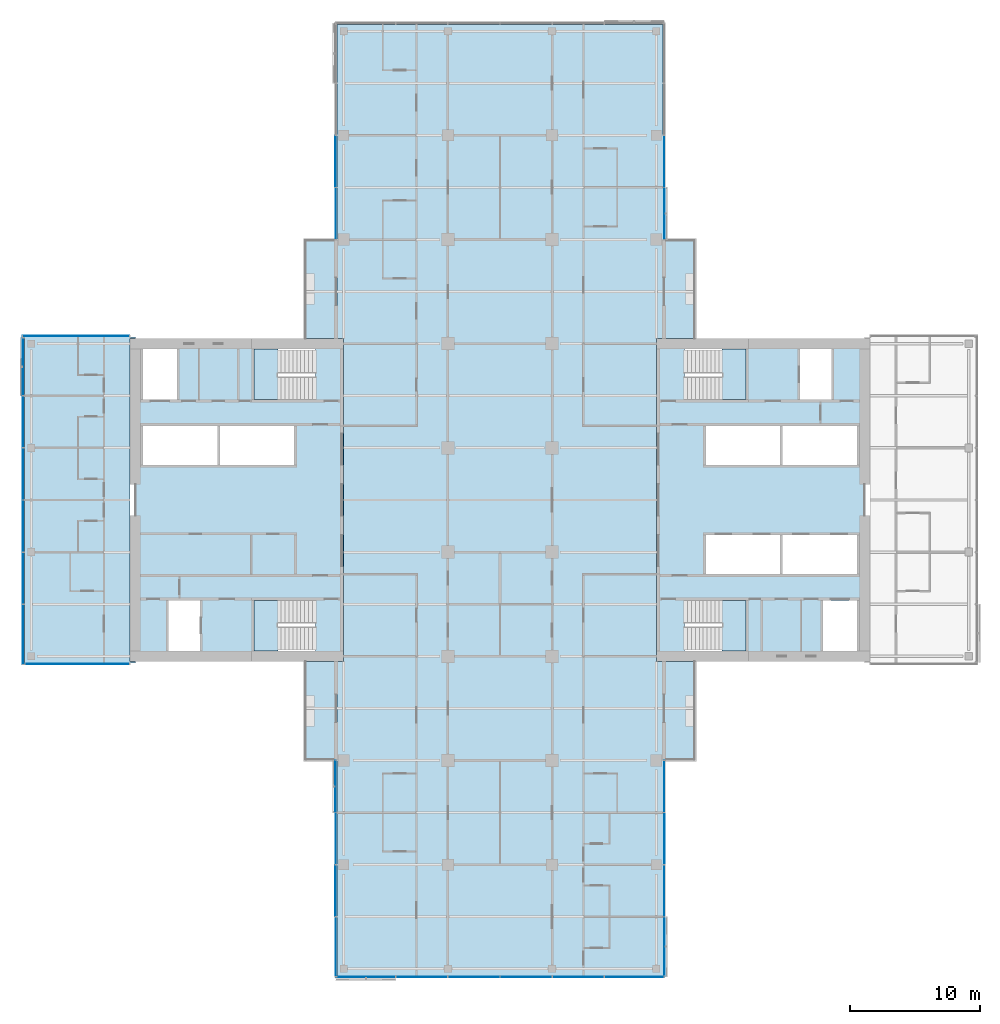
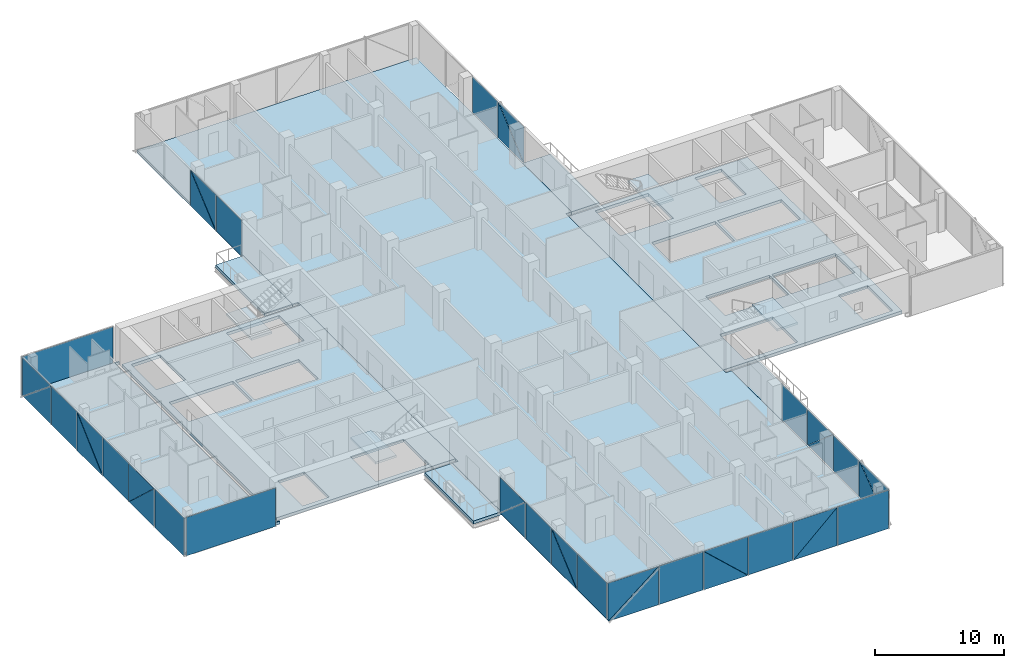
# One storey, part 12 of 25: 38 plates, 12 slabs, 12 elements without a shape of their own.
"""IFC4 building model written with IfcOpenShell, lengths in metres."""

from ifc_helpers import new_model, si_unit, direction, frame, origin, place, context, subcontext, project, spatial, polyline, outline, extrude, material, layer, layer_set, type_object, element, aggregate, save


model = new_model("IFC4")

# Units and contexts
model_context = context("Model", 3, precision=1e-05, world=origin(), true_north=direction((0.0, 1.0)))
body_context = subcontext(model_context, "Body", "Model", "MODEL_VIEW")
ifc_project = project(units=[si_unit("LENGTHUNIT", "METRE"), si_unit("AREAUNIT", "SQUARE_METRE"), si_unit("VOLUMEUNIT", "CUBIC_METRE"), si_unit("PLANEANGLEUNIT", "RADIAN"), si_unit("MASSUNIT", "GRAM", prefix="KILO")], contexts=[model_context])

# Site, building, storey
site_placement = place(None, origin())
site = spatial("IfcSite", under=ifc_project, at=site_placement, CompositionType="ELEMENT")
building_placement = place(site_placement, origin())
building = spatial("IfcBuilding", under=site, at=building_placement, Name="Crosswind Convention Tower", CompositionType="ELEMENT")
storey_placement = place(building_placement, frame((0.0, 0.0, 97.89990234375)))
storey = spatial("IfcBuildingStorey", under=building, at=storey_placement, Name="L19", CompositionType="ELEMENT", Elevation=97.89990234375)

# Slabs
ifc_material_1 = material(Name="Concrete C40/50", Category="concrete")
ifc_layer_1 = layer(ifc_material_1, 0.280029296875)
ifc_layer_set_1 = layer_set([ifc_layer_1], Name="Concrete C40/50")
slab_type_1 = type_object("IfcSlabType", Name="BALCONY SLAB 280", PredefinedType="USERDEFINED", material=ifc_layer_set_1)
slab_1_placement = place(storey_placement, frame((0.0, 0.0, -0.27978515625)))
element("IfcSlab", 1, at=slab_1_placement, inside=storey, type_object=slab_type_1, Name="BALCONY L19 N-E.1-1", ObjectType="BALCONY", PredefinedType="USERDEFINED", context=body_context, shape_type="SweptSolid", body=[
    extrude(outline(polyline([(137.5, 112.39990234375), (137.5, 120.0), (140.0, 120.0), (140.0, 112.39990234375), (137.5, 112.39990234375)])), origin(), (0.0, 0.0, 1.0), 0.27978515625),
])
slab_2_placement = place(storey_placement, frame((0.0, 0.0, -0.27978515625)))
element("IfcSlab", 2, at=slab_2_placement, inside=storey, type_object=slab_type_1, Name="BALCONY L19 N-W.1-3", ObjectType="BALCONY", PredefinedType="USERDEFINED", context=body_context, shape_type="SweptSolid", body=[
    extrude(outline(polyline([(112.5, 120.0), (112.5, 112.39990234375), (110.0, 112.39990234375), (110.0, 120.0), (112.5, 120.0)])), origin(), (0.0, 0.0, 1.0), 0.27978515625),
])
slab_3_placement = place(storey_placement, frame((0.0, 0.0, -0.27978515625)))
element("IfcSlab", 3, at=slab_3_placement, inside=storey, type_object=slab_type_1, Name="BALCONY L19 S-W.1-1", ObjectType="BALCONY", PredefinedType="USERDEFINED", context=body_context, shape_type="SweptSolid", body=[
    extrude(outline(polyline([(112.5, 87.60009765625), (112.5, 80.0), (110.0, 80.0), (110.0, 87.60009765625), (112.5, 87.60009765625)])), origin(), (0.0, 0.0, 1.0), 0.27978515625),
])
slab_4_placement = place(storey_placement, frame((0.0, 0.0, -0.27978515625)))
element("IfcSlab", 4, at=slab_4_placement, inside=storey, type_object=slab_type_1, Name="BALCONY L19 S-E.1-3", ObjectType="BALCONY", PredefinedType="USERDEFINED", context=body_context, shape_type="SweptSolid", body=[
    extrude(outline(polyline([(137.5, 80.0), (137.5, 87.60009765625), (140.0, 87.60009765625), (140.0, 80.0), (137.5, 80.0)])), origin(), (0.0, 0.0, 1.0), 0.27978515625),
])
ifc_layer_2 = layer(ifc_material_1, 0.280029296875)
ifc_layer_set_2 = layer_set([ifc_layer_2], Name="Concrete C40/50")
slab_type_2 = type_object("IfcSlabType", Name="Composite floor slab 280", PredefinedType="FLOOR", material=ifc_layer_set_2)
slab_5_placement = place(storey_placement, frame((0.0, 0.0, -0.27978515625)))
element("IfcSlab", 5, at=slab_5_placement, inside=storey, type_object=slab_type_2, Name="Floor slab L19 part 1", PredefinedType="FLOOR", context=body_context, shape_type="SweptSolid", body=[
    extrude(outline(polyline([(97.0, 87.5), (89.0, 87.5), (88.5, 87.5), (88.5, 88.0), (88.5, 112.0), (88.5, 112.5), (89.0, 112.5), (97.0, 112.5), (97.0, 112.39990234375), (96.60009765625, 112.39990234375), (96.60009765625, 87.60009765625), (97.0, 87.60009765625), (97.0, 87.5)])), origin(), (0.0, 0.0, 1.0), 0.27978515625),
])
slab_6_placement = place(storey_placement, frame((0.0, 0.0, -0.27978515625)))
element("IfcSlab", 6, at=slab_6_placement, inside=storey, type_object=slab_type_2, Name="Floor slab L19 part 2", PredefinedType="FLOOR", context=body_context, shape_type="SweptSolid", body=[
    extrude(outline(polyline([(112.5, 87.60009765625), (113.0, 87.60009765625), (113.0, 112.39990234375), (112.5, 112.39990234375), (112.5, 136.0), (112.5, 136.5), (113.0, 136.5), (137.0, 136.5), (137.5, 136.5), (137.5, 136.0), (137.5, 112.39990234375), (137.0, 112.39990234375), (137.0, 87.60009765625), (137.5, 87.60009765625), (137.5, 64.0), (137.5, 63.5), (137.0, 63.5), (113.0, 63.5), (112.5, 63.5), (112.5, 64.0), (112.5, 87.60009765625)])), origin(), (0.0, 0.0, 1.0), 0.27978515625),
])
ifc_layer_3 = layer(ifc_material_1, 0.280029296875)
ifc_layer_set_3 = layer_set([ifc_layer_3], Name="Concrete C40/50")
slab_type_3 = type_object("IfcSlabType", Name="Concrete core floor slab 280", PredefinedType="FLOOR", material=ifc_layer_set_3)
slab_7_placement = place(storey_placement, frame((0.0, 0.0, -0.27978515625)))
element("IfcSlab", 7, at=slab_7_placement, inside=storey, type_object=slab_type_3, Name="Core floor slab E L19", PredefinedType="FLOOR", context=body_context, shape_type="SweptSolid", body=[
    extrude(outline(polyline([(137.0, 88.0), (153.0, 88.0), (153.0, 112.0), (137.0, 112.0), (137.0, 88.0)]), holes=[polyline([(146.5, 102.699951171875), (146.5, 105.699951171875), (140.800048828125, 105.699951171875), (140.800048828125, 102.699951171875), (146.5, 102.699951171875)]), polyline([(152.39990234375, 102.699951171875), (152.39990234375, 105.699951171875), (146.699951171875, 105.699951171875), (146.699951171875, 102.699951171875), (152.39990234375, 102.699951171875)]), polyline([(146.5, 94.300048828125), (146.5, 97.300048828125), (140.800048828125, 97.300048828125), (140.800048828125, 94.300048828125), (146.5, 94.300048828125)]), polyline([(152.39990234375, 94.300048828125), (152.39990234375, 97.300048828125), (146.699951171875, 97.300048828125), (146.699951171875, 94.300048828125), (152.39990234375, 94.300048828125)]), polyline([(150.449951171875, 107.699951171875), (150.449951171875, 111.60009765625), (148.050048828125, 111.60009765625), (148.050048828125, 107.699951171875), (150.449951171875, 107.699951171875)]), polyline([(152.39990234375, 88.39990234375), (152.39990234375, 92.300048828125), (149.800048828125, 92.300048828125), (149.800048828125, 88.39990234375), (152.39990234375, 88.39990234375)]), polyline([(143.89990234375, 107.699951171875), (143.89990234375, 111.60009765625), (139.14990234375, 111.60009765625), (139.14990234375, 107.699951171875), (143.89990234375, 107.699951171875)]), polyline([(143.89990234375, 88.39990234375), (143.89990234375, 92.300048828125), (139.14990234375, 92.300048828125), (139.14990234375, 88.39990234375), (143.89990234375, 88.39990234375)])]), origin(), (0.0, 0.0, 1.0), 0.27978515625),
])
slab_8_placement = place(storey_placement, frame((0.0, 0.0, -0.27978515625)))
element("IfcSlab", 8, at=slab_8_placement, inside=storey, type_object=slab_type_3, Name="Core floor slab W L19", PredefinedType="FLOOR", context=body_context, shape_type="SweptSolid", body=[
    extrude(outline(polyline([(97.0, 88.0), (113.0, 88.0), (113.0, 112.0), (97.0, 112.0), (97.0, 88.0)]), holes=[polyline([(109.199951171875, 102.699951171875), (109.199951171875, 105.699951171875), (103.5, 105.699951171875), (103.5, 102.699951171875), (109.199951171875, 102.699951171875)]), polyline([(103.300048828125, 102.699951171875), (103.300048828125, 105.699951171875), (97.60009765625, 105.699951171875), (97.60009765625, 102.699951171875), (103.300048828125, 102.699951171875)]), polyline([(101.949951171875, 88.39990234375), (101.949951171875, 92.300048828125), (99.550048828125, 92.300048828125), (99.550048828125, 88.39990234375), (101.949951171875, 88.39990234375)]), polyline([(100.199951171875, 107.699951171875), (100.199951171875, 111.60009765625), (97.60009765625, 111.60009765625), (97.60009765625, 107.699951171875), (100.199951171875, 107.699951171875)]), polyline([(110.85009765625, 88.39990234375), (110.85009765625, 92.300048828125), (106.10009765625, 92.300048828125), (106.10009765625, 88.39990234375), (110.85009765625, 88.39990234375)]), polyline([(110.85009765625, 107.699951171875), (110.85009765625, 111.60009765625), (106.10009765625, 111.60009765625), (106.10009765625, 107.699951171875), (110.85009765625, 107.699951171875)])]), origin(), (0.0, 0.0, 1.0), 0.27978515625),
])

# Stair, slab
stair_type = type_object("IfcStairType", Name="Exit stair 1800 wide, 2 flights of 11 risers", PredefinedType="HALF_TURN_STAIR", material=ifc_material_1)
stair_1_placement = place(storey_placement, origin())
stair_1 = element("IfcStair", 9, at=stair_1_placement, inside=storey, type_object=stair_type, Name="Exit stair ST1 L19", ObjectType="ST5", PredefinedType="HALF_TURN_STAIR")
ifc_layer_4 = layer(ifc_material_1, 0.199951171875)
ifc_layer_set_4 = layer_set([ifc_layer_4], Name="Concrete C40/50")
slab_type_4 = type_object("IfcSlabType", Name="Stair landing 200", PredefinedType="LANDING", material=ifc_layer_set_4)
slab_9_placement = place(storey_placement, frame((0.0, 0.0, 1.650146484375)))
slab_9 = element("IfcSlab", 10, at=slab_9_placement, type_object=slab_type_4, Name="ST1 landing 1", PredefinedType="LANDING", context=body_context, shape_type="SweptSolid", body=[
    extrude(outline(polyline([(143.89990234375, 107.699951171875), (143.89990234375, 111.60009765625), (142.050048828125, 111.60009765625), (142.050048828125, 107.699951171875), (143.89990234375, 107.699951171875)])), origin(), (0.0, 0.0, 1.0), 0.199951171875),
])
aggregate(stair_1, [slab_9])

stair_2_placement = place(storey_placement, origin())
stair_2 = element("IfcStair", 11, at=stair_2_placement, inside=storey, type_object=stair_type, Name="Exit stair ST2 L19", ObjectType="ST5", PredefinedType="HALF_TURN_STAIR")
slab_10_placement = place(storey_placement, frame((0.0, 0.0, 1.650146484375)))
slab_10 = element("IfcSlab", 12, at=slab_10_placement, type_object=slab_type_4, Name="ST2 landing 1", PredefinedType="LANDING", context=body_context, shape_type="SweptSolid", body=[
    extrude(outline(polyline([(143.89990234375, 88.39990234375), (143.89990234375, 92.300048828125), (142.050048828125, 92.300048828125), (142.050048828125, 88.39990234375), (143.89990234375, 88.39990234375)])), origin(), (0.0, 0.0, 1.0), 0.199951171875),
])
aggregate(stair_2, [slab_10])

stair_3_placement = place(storey_placement, origin())
stair_3 = element("IfcStair", 13, at=stair_3_placement, inside=storey, type_object=stair_type, Name="Exit stair ST3 L19", ObjectType="ST5", PredefinedType="HALF_TURN_STAIR")
slab_11_placement = place(storey_placement, frame((0.0, 0.0, 1.650146484375)))
slab_11 = element("IfcSlab", 14, at=slab_11_placement, type_object=slab_type_4, Name="ST3 landing 1", PredefinedType="LANDING", context=body_context, shape_type="SweptSolid", body=[
    extrude(outline(polyline([(107.949951171875, 88.39990234375), (107.949951171875, 92.300048828125), (106.10009765625, 92.300048828125), (106.10009765625, 88.39990234375), (107.949951171875, 88.39990234375)])), origin(), (0.0, 0.0, 1.0), 0.199951171875),
])
aggregate(stair_3, [slab_11])

stair_4_placement = place(storey_placement, origin())
stair_4 = element("IfcStair", 15, at=stair_4_placement, inside=storey, type_object=stair_type, Name="Exit stair ST4 L19", ObjectType="ST5", PredefinedType="HALF_TURN_STAIR")
slab_12_placement = place(storey_placement, frame((0.0, 0.0, 1.650146484375)))
slab_12 = element("IfcSlab", 16, at=slab_12_placement, type_object=slab_type_4, Name="ST4 landing 1", PredefinedType="LANDING", context=body_context, shape_type="SweptSolid", body=[
    extrude(outline(polyline([(107.949951171875, 107.699951171875), (107.949951171875, 111.60009765625), (106.10009765625, 111.60009765625), (106.10009765625, 107.699951171875), (107.949951171875, 107.699951171875)])), origin(), (0.0, 0.0, 1.0), 0.199951171875),
])
aggregate(stair_4, [slab_12])

# Curtain wall, plate
ifc_material_2 = material(Name="Aluminium unitised curtain wall", Category="aluminium")
curtain_wall_type_1 = type_object("IfcCurtainWallType", Name="CORE END SLOT WALL 160", PredefinedType="USERDEFINED", material=ifc_material_2)
curtain_wall_1_placement = place(storey_placement, origin())
curtain_wall_1 = element("IfcCurtainWall", 17, at=curtain_wall_1_placement, inside=storey, type_object=curtain_wall_type_1, Name="CW6 L19 W-N.2-1 slot", ObjectType="UNITISED", PredefinedType="USERDEFINED")
ifc_material_3 = material(Name="Laminated insulating glass unit", Category="glass")
ifc_layer_5 = layer(ifc_material_3, 0.02587890625)
ifc_layer_set_5 = layer_set([ifc_layer_5], Name="TRIANGULAR GLASS PANEL 26")
plate_type_1 = type_object("IfcPlateType", Name="TRIANGULAR GLASS PANEL 26", PredefinedType="CURTAIN_PANEL", material=ifc_layer_set_5)
plate_1_placement = place(storey_placement, frame((96.550048828125, 112.606689453125, -0.27978515625), z_axis=(0.0, 0.999999919464, 0.00040133776), x_axis=(-1.0, 0.0, 0.0)))
plate_1 = element("IfcPlate", 18, at=plate_1_placement, type_object=plate_type_1, Name="CW6 panel 1.1", PredefinedType="CURTAIN_PANEL", context=body_context, shape_type="SweptSolid", body=[
    extrude(outline(polyline([(0.0, 0.0), (8.199951171875, 0.0), (8.199951171875, 3.6499026376985664), (0.0, 3.6499026376985664), (0.0, 0.0)])), origin(), (0.0, 0.0, -1.0), 0.02587890625),
])
aggregate(curtain_wall_1, [plate_1])

curtain_wall_2_placement = place(storey_placement, origin())
curtain_wall_2 = element("IfcCurtainWall", 19, at=curtain_wall_2_placement, inside=storey, type_object=curtain_wall_type_1, Name="CW6 L19 W-S.1-1 slot", ObjectType="UNITISED", PredefinedType="USERDEFINED")
plate_2_placement = place(storey_placement, frame((88.550048828125, 87.393310546875, -0.27978515625), z_axis=(0.0, -0.999999919464, 0.00040133776), x_axis=(1.0, 0.0, 0.0)))
plate_2 = element("IfcPlate", 20, at=plate_2_placement, type_object=plate_type_1, Name="CW6 panel 1.1", PredefinedType="CURTAIN_PANEL", context=body_context, shape_type="SweptSolid", body=[
    extrude(outline(polyline([(0.0, 0.0), (8.0, 0.0), (8.0, 3.6499026376985664), (0.0, 3.6499026376985664), (0.0, 0.0)])), origin(), (0.0, 0.0, -1.0), 0.02587890625),
])
aggregate(curtain_wall_2, [plate_2])

# Curtain wall, plates
curtain_wall_type_2 = type_object("IfcCurtainWallType", Name="HOTEL UNITISED WALL 200", PredefinedType="USERDEFINED", material=ifc_material_2)
curtain_wall_3_placement = place(storey_placement, origin())
curtain_wall_3 = element("IfcCurtainWall", 21, at=curtain_wall_3_placement, inside=storey, type_object=curtain_wall_type_2, Name="CW2 L19 N-E 1", ObjectType="UNITISED", PredefinedType="USERDEFINED")
ifc_layer_6 = layer(ifc_material_3, 0.028076171875)
ifc_layer_set_6 = layer_set([ifc_layer_6], Name="TRIANGULAR GLASS PANEL 28")
plate_type_2 = type_object("IfcPlateType", Name="TRIANGULAR GLASS PANEL 28", PredefinedType="CURTAIN_PANEL", material=ifc_layer_set_6)
plate_3_placement = place(storey_placement, frame((137.628662109375, 123.967529296875, -0.044921875), z_axis=(0.999999935042, 0.0, 0.00036043827), x_axis=(-0.00036043827, 0.0, 0.999999935042)))
plate_3 = element("IfcPlate", 22, at=plate_3_placement, type_object=plate_type_2, Name="CW2 panel 1.1", PredefinedType="CURTAIN_PANEL", context=body_context, shape_type="SweptSolid", body=[
    extrude(outline(polyline([(0.0, 0.0), (3.386718969994068, 0.0), (0.0, 3.919677734375), (0.0, 0.0)])), origin(), (0.0, 0.0, -1.0), 0.028076171875),
])
plate_4_placement = place(storey_placement, frame((137.6572265625, 120.032470703125, 3.35498046875), z_axis=(0.999999906461, 0.0, 0.000432525911), x_axis=(0.000432525911, 0.0, -0.999999906461)))
plate_4 = element("IfcPlate", 23, at=plate_4_placement, type_object=plate_type_2, Name="CW2 panel 1.2", PredefinedType="CURTAIN_PANEL", context=body_context, shape_type="SweptSolid", body=[
    extrude(outline(polyline([(0.0, 0.0), (3.3867190667914535, 0.0), (0.0, 3.919677734375), (0.0, 0.0)])), origin(), (0.0, 0.0, -1.0), 0.028076171875),
])
plate_5_placement = place(storey_placement, frame((137.628662109375, 124.032470703125, -0.044921875), z_axis=(0.999999935545, 0.0, 0.00035904062), x_axis=(0.0, 1.0, 0.0)))
plate_5 = element("IfcPlate", 24, at=plate_5_placement, type_object=plate_type_2, Name="CW2 panel 2.1", PredefinedType="CURTAIN_PANEL", context=body_context, shape_type="SweptSolid", body=[
    extrude(outline(polyline([(0.0, 0.0), (3.93505859375, 0.0), (3.93505859375, 3.3999025628910107), (0.0, 3.3999025628910107), (0.0, 0.0)])), origin(), (0.0, 0.0, -1.0), 0.028076171875),
])
aggregate(curtain_wall_3, [plate_3, plate_4, plate_5])

curtain_wall_4_placement = place(storey_placement, origin())
curtain_wall_4 = element("IfcCurtainWall", 25, at=curtain_wall_4_placement, inside=storey, type_object=curtain_wall_type_2, Name="CW2 L19 N-W 1", ObjectType="UNITISED", PredefinedType="USERDEFINED")
plate_6_placement = place(storey_placement, frame((112.37255859375, 124.032470703125, 3.35498046875), z_axis=(-0.999999935042, 0.0, 0.00036043827), x_axis=(0.0, 1.0, 0.0)))
plate_6 = element("IfcPlate", 26, at=plate_6_placement, type_object=plate_type_2, Name="CW2 panel 3.1", PredefinedType="CURTAIN_PANEL", context=body_context, shape_type="SweptSolid", body=[
    extrude(outline(polyline([(0.0, 0.0), (3.919677734375, 0.0), (0.0, 3.3867189699940683), (0.0, 0.0)])), origin(), (0.0, 0.0, -1.0), 0.028076171875),
])
plate_7_placement = place(storey_placement, frame((112.34130859375, 127.967529296875, -0.044921875), z_axis=(-0.999999906461, 0.0, 0.000432525911), x_axis=(0.0, -1.0, 0.0)))
plate_7 = element("IfcPlate", 27, at=plate_7_placement, type_object=plate_type_2, Name="CW2 panel 3.2", PredefinedType="CURTAIN_PANEL", context=body_context, shape_type="SweptSolid", body=[
    extrude(outline(polyline([(0.0, 0.0), (3.919677734375, 0.0), (0.0, 3.386719066791454), (0.0, 0.0)])), origin(), (0.0, 0.0, -1.0), 0.028076171875),
])
plate_8_placement = place(storey_placement, frame((112.371337890625, 123.967529296875, -0.044921875), z_axis=(-0.999999935545, 0.0, 0.00035904062), x_axis=(0.0, -1.0, 0.0)))
plate_8 = element("IfcPlate", 28, at=plate_8_placement, type_object=plate_type_2, Name="CW2 panel 4.1", PredefinedType="CURTAIN_PANEL", context=body_context, shape_type="SweptSolid", body=[
    extrude(outline(polyline([(0.0, 0.0), (3.93505859375, 0.0), (3.93505859375, 3.3999025628910107), (0.0, 3.3999025628910107), (0.0, 0.0)])), origin(), (0.0, 0.0, -1.0), 0.028076171875),
])
aggregate(curtain_wall_4, [plate_6, plate_7, plate_8])

curtain_wall_5_placement = place(storey_placement, origin())
curtain_wall_5 = element("IfcCurtainWall", 29, at=curtain_wall_5_placement, inside=storey, type_object=curtain_wall_type_2, Name="CW2 L19 W-TIP 1", ObjectType="UNITISED", PredefinedType="USERDEFINED")
plate_9_placement = place(storey_placement, frame((88.371337890625, 108.032470703125, -0.27978515625), z_axis=(-0.999999918211, 0.0, 0.000404448905), x_axis=(0.000404448905, 0.0, 0.999999918211)))
plate_9 = element("IfcPlate", 30, at=plate_9_placement, type_object=plate_type_2, Name="CW2 panel 1.1", PredefinedType="CURTAIN_PANEL", context=body_context, shape_type="SweptSolid", body=[
    extrude(outline(polyline([(0.0, 0.0), (3.621826468102238, 0.0), (0.0, 4.38671875), (0.0, 0.0)])), origin(), (0.0, 0.0, -1.0), 0.028076171875),
])
plate_10_placement = place(storey_placement, frame((88.3427734375, 112.43505859375, 3.35498046875), z_axis=(-0.999999918211, 0.0, 0.000404448905), x_axis=(-0.000404448905, 0.0, -0.999999918211)))
plate_10 = element("IfcPlate", 31, at=plate_10_placement, type_object=plate_type_2, Name="CW2 panel 1.2", PredefinedType="CURTAIN_PANEL", context=body_context, shape_type="SweptSolid", body=[
    extrude(outline(polyline([(0.0, 0.0), (3.621826468102238, 0.0), (0.0, 4.386962890625), (0.0, 0.0)])), origin(), (0.0, 0.0, -1.0), 0.028076171875),
])
plate_11_placement = place(storey_placement, frame((88.371337890625, 107.967529296875, -0.27978515625), z_axis=(-0.999999918792, 0.0, 0.000403009102), x_axis=(0.0, -1.0, 0.0)))
plate_11 = element("IfcPlate", 32, at=plate_11_placement, type_object=plate_type_2, Name="CW2 panel 2.1", PredefinedType="CURTAIN_PANEL", context=body_context, shape_type="SweptSolid", body=[
    extrude(outline(polyline([(0.0, 0.0), (3.93505859375, 0.0), (3.93505859375, 3.6347659201726943), (0.0, 3.6347659201726943), (0.0, 0.0)])), origin(), (0.0, 0.0, -1.0), 0.028076171875),
])
plate_12_placement = place(storey_placement, frame((88.372802734375, 100.032470703125, 3.35498046875), z_axis=(-0.999999918188, 0.0, 0.000404503439), x_axis=(0.0, 1.0, 0.0)))
plate_12 = element("IfcPlate", 33, at=plate_12_placement, type_object=plate_type_2, Name="CW2 panel 3.1", PredefinedType="CURTAIN_PANEL", context=body_context, shape_type="SweptSolid", body=[
    extrude(outline(polyline([(0.0, 0.0), (3.92041015625, 0.0), (0.0, 3.6213381868921792), (0.0, 0.0)])), origin(), (0.0, 0.0, -1.0), 0.028076171875),
])
plate_13_placement = place(storey_placement, frame((88.34130859375, 103.967529296875, -0.27978515625), z_axis=(-0.999999918188, 0.0, 0.000404503439), x_axis=(0.0, -1.0, 0.0)))
plate_13 = element("IfcPlate", 34, at=plate_13_placement, type_object=plate_type_2, Name="CW2 panel 3.2", PredefinedType="CURTAIN_PANEL", context=body_context, shape_type="SweptSolid", body=[
    extrude(outline(polyline([(0.0, 0.0), (3.92041015625, 0.0), (0.0, 3.6213381868921792), (0.0, 0.0)])), origin(), (0.0, 0.0, -1.0), 0.028076171875),
])
plate_14_placement = place(storey_placement, frame((88.371337890625, 99.967529296875, -0.27978515625), z_axis=(-0.999999918792, 0.0, 0.000403009102), x_axis=(0.0, -1.0, 0.0)))
plate_14 = element("IfcPlate", 35, at=plate_14_placement, type_object=plate_type_2, Name="CW2 panel 4.1", PredefinedType="CURTAIN_PANEL", context=body_context, shape_type="SweptSolid", body=[
    extrude(outline(polyline([(0.0, 0.0), (3.93505859375, 0.0), (3.93505859375, 3.6347659201726943), (0.0, 3.6347659201726943), (0.0, 0.0)])), origin(), (0.0, 0.0, -1.0), 0.028076171875),
])
plate_15_placement = place(storey_placement, frame((88.371337890625, 92.032470703125, -0.27978515625), z_axis=(-0.999999918188, 0.0, 0.000404503439), x_axis=(0.000404503439, 0.0, 0.999999918188)))
plate_15 = element("IfcPlate", 36, at=plate_15_placement, type_object=plate_type_2, Name="CW2 panel 5.1", PredefinedType="CURTAIN_PANEL", context=body_context, shape_type="SweptSolid", body=[
    extrude(outline(polyline([(0.0, 0.0), (3.6213381868921797, 0.0), (0.0, 3.92041015625), (0.0, 0.0)])), origin(), (0.0, 0.0, -1.0), 0.028076171875),
])
plate_16_placement = place(storey_placement, frame((88.3427734375, 95.967529296875, 3.35498046875), z_axis=(-0.999999918188, 0.0, 0.000404503439), x_axis=(-0.000404503439, 0.0, -0.999999918188)))
plate_16 = element("IfcPlate", 37, at=plate_16_placement, type_object=plate_type_2, Name="CW2 panel 5.2", PredefinedType="CURTAIN_PANEL", context=body_context, shape_type="SweptSolid", body=[
    extrude(outline(polyline([(0.0, 0.0), (3.6213381868921797, 0.0), (0.0, 3.92041015625), (0.0, 0.0)])), origin(), (0.0, 0.0, -1.0), 0.028076171875),
])
plate_17_placement = place(storey_placement, frame((88.371337890625, 91.967529296875, -0.27978515625), z_axis=(-0.999999918792, 0.0, 0.000403009102), x_axis=(0.0, -1.0, 0.0)))
plate_17 = element("IfcPlate", 38, at=plate_17_placement, type_object=plate_type_2, Name="CW2 panel 6.1", PredefinedType="CURTAIN_PANEL", context=body_context, shape_type="SweptSolid", body=[
    extrude(outline(polyline([(0.0, 0.0), (4.5625, 0.0), (4.5625, 3.6347659201726947), (0.0, 3.6347659201726947), (0.0, 0.0)])), origin(), (0.0, 0.0, -1.0), 0.028076171875),
])
aggregate(curtain_wall_5, [plate_9, plate_10, plate_11, plate_12, plate_13, plate_14, plate_15, plate_16, plate_17])

curtain_wall_6_placement = place(storey_placement, origin())
curtain_wall_6 = element("IfcCurtainWall", 39, at=curtain_wall_6_placement, inside=storey, type_object=curtain_wall_type_2, Name="CW2 L19 S-W 1", ObjectType="UNITISED", PredefinedType="USERDEFINED")
plate_18_placement = place(storey_placement, frame((112.371337890625, 76.032470703125, -0.044921875), z_axis=(-0.999999935042, 0.0, 0.00036043827), x_axis=(0.00036043827, 0.0, 0.999999935042)))
plate_18 = element("IfcPlate", 40, at=plate_18_placement, type_object=plate_type_2, Name="CW2 panel 1.1", PredefinedType="CURTAIN_PANEL", context=body_context, shape_type="SweptSolid", body=[
    extrude(outline(polyline([(0.0, 0.0), (3.386718969994068, 0.0), (0.0, 3.919677734375), (0.0, 0.0)])), origin(), (0.0, 0.0, -1.0), 0.028076171875),
])
plate_19_placement = place(storey_placement, frame((112.3427734375, 79.967529296875, 3.35498046875), z_axis=(-0.999999906461, 0.0, 0.000432525911), x_axis=(-0.000432525911, 0.0, -0.999999906461)))
plate_19 = element("IfcPlate", 41, at=plate_19_placement, type_object=plate_type_2, Name="CW2 panel 1.2", PredefinedType="CURTAIN_PANEL", context=body_context, shape_type="SweptSolid", body=[
    extrude(outline(polyline([(0.0, 0.0), (3.3867190667914535, 0.0), (0.0, 3.919677734375), (0.0, 0.0)])), origin(), (0.0, 0.0, -1.0), 0.028076171875),
])
plate_20_placement = place(storey_placement, frame((112.371337890625, 75.967529296875, -0.044921875), z_axis=(-0.999999935545, 0.0, 0.00035904062), x_axis=(0.0, -1.0, 0.0)))
plate_20 = element("IfcPlate", 42, at=plate_20_placement, type_object=plate_type_2, Name="CW2 panel 2.1", PredefinedType="CURTAIN_PANEL", context=body_context, shape_type="SweptSolid", body=[
    extrude(outline(polyline([(0.0, 0.0), (3.93505859375, 0.0), (3.93505859375, 3.3999025628910107), (0.0, 3.3999025628910107), (0.0, 0.0)])), origin(), (0.0, 0.0, -1.0), 0.028076171875),
])
plate_21_placement = place(storey_placement, frame((112.37255859375, 68.032470703125, 3.35498046875), z_axis=(-0.999999935042, 0.0, 0.00036043827), x_axis=(0.0, 1.0, 0.0)))
plate_21 = element("IfcPlate", 43, at=plate_21_placement, type_object=plate_type_2, Name="CW2 panel 3.1", PredefinedType="CURTAIN_PANEL", context=body_context, shape_type="SweptSolid", body=[
    extrude(outline(polyline([(0.0, 0.0), (3.919677734375, 0.0), (0.0, 3.3867189699940683), (0.0, 0.0)])), origin(), (0.0, 0.0, -1.0), 0.028076171875),
])
plate_22_placement = place(storey_placement, frame((112.34130859375, 71.967529296875, -0.044921875), z_axis=(-0.999999906461, 0.0, 0.000432525911), x_axis=(0.0, -1.0, 0.0)))
plate_22 = element("IfcPlate", 44, at=plate_22_placement, type_object=plate_type_2, Name="CW2 panel 3.2", PredefinedType="CURTAIN_PANEL", context=body_context, shape_type="SweptSolid", body=[
    extrude(outline(polyline([(0.0, 0.0), (3.919677734375, 0.0), (0.0, 3.386719066791454), (0.0, 0.0)])), origin(), (0.0, 0.0, -1.0), 0.028076171875),
])
plate_23_placement = place(storey_placement, frame((112.371337890625, 67.967529296875, -0.044921875), z_axis=(-0.999999935545, 0.0, 0.00035904062), x_axis=(0.0, -1.0, 0.0)))
plate_23 = element("IfcPlate", 45, at=plate_23_placement, type_object=plate_type_2, Name="CW2 panel 4.1", PredefinedType="CURTAIN_PANEL", context=body_context, shape_type="SweptSolid", body=[
    extrude(outline(polyline([(0.0, 0.0), (4.534912109375, 0.0), (4.534912109375, 3.3999025628910107), (0.0, 3.3999025628910107), (0.0, 0.0)])), origin(), (0.0, 0.0, -1.0), 0.028076171875),
])
aggregate(curtain_wall_6, [plate_18, plate_19, plate_20, plate_21, plate_22, plate_23])

curtain_wall_7_placement = place(storey_placement, origin())
curtain_wall_7 = element("IfcCurtainWall", 46, at=curtain_wall_7_placement, inside=storey, type_object=curtain_wall_type_2, Name="CW2 L19 S-TIP 1", ObjectType="UNITISED", PredefinedType="USERDEFINED")
plate_24_placement = place(storey_placement, frame((116.967529296875, 63.371337890625, -0.27978515625), z_axis=(0.0, -0.999999918222, 0.000404421644), x_axis=(0.0, 0.000404421644, 0.999999918222)))
plate_24 = element("IfcPlate", 47, at=plate_24_placement, type_object=plate_type_2, Name="CW2 panel 1.1", PredefinedType="CURTAIN_PANEL", context=body_context, shape_type="SweptSolid", body=[
    extrude(outline(polyline([(0.0, 0.0), (3.6220706087072707, 0.0), (0.0, 4.51904296875), (0.0, 0.0)])), origin(), (0.0, 0.0, -1.0), 0.028076171875),
])
plate_25_placement = place(storey_placement, frame((112.4326171875, 63.3427734375, 3.35498046875), z_axis=(0.0, -0.999999918222, 0.000404421644), x_axis=(0.0, -0.000404421644, -0.999999918222)))
plate_25 = element("IfcPlate", 48, at=plate_25_placement, type_object=plate_type_2, Name="CW2 panel 1.2", PredefinedType="CURTAIN_PANEL", context=body_context, shape_type="SweptSolid", body=[
    extrude(outline(polyline([(0.0, 0.0), (3.6220706087072707, 0.0), (0.0, 4.518798828125), (0.0, 0.0)])), origin(), (0.0, 0.0, -1.0), 0.028076171875),
])
plate_26_placement = place(storey_placement, frame((117.032470703125, 63.371337890625, -0.27978515625), z_axis=(0.0, -0.999999918792, 0.000403009102), x_axis=(1.0, 0.0, 0.0)))
plate_26 = element("IfcPlate", 49, at=plate_26_placement, type_object=plate_type_2, Name="CW2 panel 2.1", PredefinedType="CURTAIN_PANEL", context=body_context, shape_type="SweptSolid", body=[
    extrude(outline(polyline([(0.0, 0.0), (3.93505859375, 0.0), (3.93505859375, 3.6347659201726943), (0.0, 3.6347659201726943), (0.0, 0.0)])), origin(), (0.0, 0.0, -1.0), 0.028076171875),
])
plate_27_placement = place(storey_placement, frame((124.967529296875, 63.372802734375, 3.35498046875), z_axis=(0.0, -0.999999918188, 0.000404503439), x_axis=(-1.0, 0.0, 0.0)))
plate_27 = element("IfcPlate", 50, at=plate_27_placement, type_object=plate_type_2, Name="CW2 panel 3.1", PredefinedType="CURTAIN_PANEL", context=body_context, shape_type="SweptSolid", body=[
    extrude(outline(polyline([(0.0, 0.0), (3.92041015625, 0.0), (0.0, 3.6213381868921792), (0.0, 0.0)])), origin(), (0.0, 0.0, -1.0), 0.028076171875),
])
plate_28_placement = place(storey_placement, frame((121.032470703125, 63.34130859375, -0.27978515625), z_axis=(0.0, -0.999999918188, 0.000404503439), x_axis=(1.0, 0.0, 0.0)))
plate_28 = element("IfcPlate", 51, at=plate_28_placement, type_object=plate_type_2, Name="CW2 panel 3.2", PredefinedType="CURTAIN_PANEL", context=body_context, shape_type="SweptSolid", body=[
    extrude(outline(polyline([(0.0, 0.0), (3.92041015625, 0.0), (0.0, 3.6213381868921792), (0.0, 0.0)])), origin(), (0.0, 0.0, -1.0), 0.028076171875),
])
plate_29_placement = place(storey_placement, frame((125.032470703125, 63.371337890625, -0.27978515625), z_axis=(0.0, -0.999999918792, 0.000403009102), x_axis=(1.0, 0.0, 0.0)))
plate_29 = element("IfcPlate", 52, at=plate_29_placement, type_object=plate_type_2, Name="CW2 panel 4.1", PredefinedType="CURTAIN_PANEL", context=body_context, shape_type="SweptSolid", body=[
    extrude(outline(polyline([(0.0, 0.0), (3.93505859375, 0.0), (3.93505859375, 3.6347659201726943), (0.0, 3.6347659201726943), (0.0, 0.0)])), origin(), (0.0, 0.0, -1.0), 0.028076171875),
])
plate_30_placement = place(storey_placement, frame((132.967529296875, 63.371337890625, -0.27978515625), z_axis=(0.0, -0.999999918188, 0.000404503439), x_axis=(0.0, 0.000404503439, 0.999999918188)))
plate_30 = element("IfcPlate", 53, at=plate_30_placement, type_object=plate_type_2, Name="CW2 panel 5.1", PredefinedType="CURTAIN_PANEL", context=body_context, shape_type="SweptSolid", body=[
    extrude(outline(polyline([(0.0, 0.0), (3.6213381868921797, 0.0), (0.0, 3.92041015625), (0.0, 0.0)])), origin(), (0.0, 0.0, -1.0), 0.028076171875),
])
plate_31_placement = place(storey_placement, frame((129.032470703125, 63.3427734375, 3.35498046875), z_axis=(0.0, -0.999999918188, 0.000404503439), x_axis=(0.0, -0.000404503439, -0.999999918188)))
plate_31 = element("IfcPlate", 54, at=plate_31_placement, type_object=plate_type_2, Name="CW2 panel 5.2", PredefinedType="CURTAIN_PANEL", context=body_context, shape_type="SweptSolid", body=[
    extrude(outline(polyline([(0.0, 0.0), (3.6213381868921797, 0.0), (0.0, 3.92041015625), (0.0, 0.0)])), origin(), (0.0, 0.0, -1.0), 0.028076171875),
])
plate_32_placement = place(storey_placement, frame((133.032470703125, 63.371337890625, -0.27978515625), z_axis=(0.0, -0.999999918792, 0.000403009102), x_axis=(1.0, 0.0, 0.0)))
plate_32 = element("IfcPlate", 55, at=plate_32_placement, type_object=plate_type_2, Name="CW2 panel 6.1", PredefinedType="CURTAIN_PANEL", context=body_context, shape_type="SweptSolid", body=[
    extrude(outline(polyline([(0.0, 0.0), (4.534912109375, 0.0), (4.534912109375, 3.6347659201726943), (0.0, 3.6347659201726943), (0.0, 0.0)])), origin(), (0.0, 0.0, -1.0), 0.028076171875),
])
aggregate(curtain_wall_7, [plate_24, plate_25, plate_26, plate_27, plate_28, plate_29, plate_30, plate_31, plate_32])

curtain_wall_8_placement = place(storey_placement, origin())
curtain_wall_8 = element("IfcCurtainWall", 56, at=curtain_wall_8_placement, inside=storey, type_object=curtain_wall_type_2, Name="CW2 L19 S-E 1", ObjectType="UNITISED", PredefinedType="USERDEFINED")
plate_33_placement = place(storey_placement, frame((137.628662109375, 67.967529296875, -0.044921875), z_axis=(0.99999993507, 0.0, 0.000360360337), x_axis=(-0.000360360337, 0.0, 0.99999993507)))
plate_33 = element("IfcPlate", 57, at=plate_33_placement, type_object=plate_type_2, Name="CW2 panel 1.1", PredefinedType="CURTAIN_PANEL", context=body_context, shape_type="SweptSolid", body=[
    extrude(outline(polyline([(0.0, 0.0), (3.387451391821502, 0.0), (0.0, 4.518310546875), (0.0, 0.0)])), origin(), (0.0, 0.0, -1.0), 0.028076171875),
])
plate_34_placement = place(storey_placement, frame((137.6572265625, 63.4326171875, 3.35498046875), z_axis=(0.999999906501, 0.0, 0.000432432392), x_axis=(0.000432432392, 0.0, -0.999999906501)))
plate_34 = element("IfcPlate", 58, at=plate_34_placement, type_object=plate_type_2, Name="CW2 panel 1.2", PredefinedType="CURTAIN_PANEL", context=body_context, shape_type="SweptSolid", body=[
    extrude(outline(polyline([(0.0, 0.0), (3.3874514885979585, 0.0), (0.0, 4.518310546875), (0.0, 0.0)])), origin(), (0.0, 0.0, -1.0), 0.028076171875),
])
plate_35_placement = place(storey_placement, frame((137.628662109375, 68.032470703125, -0.044921875), z_axis=(0.999999935545, 0.0, 0.00035904062), x_axis=(0.0, 1.0, 0.0)))
plate_35 = element("IfcPlate", 59, at=plate_35_placement, type_object=plate_type_2, Name="CW2 panel 2.1", PredefinedType="CURTAIN_PANEL", context=body_context, shape_type="SweptSolid", body=[
    extrude(outline(polyline([(0.0, 0.0), (3.93505859375, 0.0), (3.93505859375, 3.3999025628910107), (0.0, 3.3999025628910107), (0.0, 0.0)])), origin(), (0.0, 0.0, -1.0), 0.028076171875),
])
plate_36_placement = place(storey_placement, frame((137.62744140625, 75.967529296875, 3.35498046875), z_axis=(0.999999935042, 0.0, 0.00036043827), x_axis=(0.0, -1.0, 0.0)))
plate_36 = element("IfcPlate", 60, at=plate_36_placement, type_object=plate_type_2, Name="CW2 panel 3.1", PredefinedType="CURTAIN_PANEL", context=body_context, shape_type="SweptSolid", body=[
    extrude(outline(polyline([(0.0, 0.0), (3.919677734375, 0.0), (0.0, 3.3867189699940683), (0.0, 0.0)])), origin(), (0.0, 0.0, -1.0), 0.028076171875),
])
plate_37_placement = place(storey_placement, frame((137.65869140625, 72.032470703125, -0.044921875), z_axis=(0.999999906461, 0.0, 0.000432525911), x_axis=(0.0, 1.0, 0.0)))
plate_37 = element("IfcPlate", 61, at=plate_37_placement, type_object=plate_type_2, Name="CW2 panel 3.2", PredefinedType="CURTAIN_PANEL", context=body_context, shape_type="SweptSolid", body=[
    extrude(outline(polyline([(0.0, 0.0), (3.919677734375, 0.0), (0.0, 3.386719066791454), (0.0, 0.0)])), origin(), (0.0, 0.0, -1.0), 0.028076171875),
])
plate_38_placement = place(storey_placement, frame((137.628662109375, 76.032470703125, -0.044921875), z_axis=(0.999999935545, 0.0, 0.00035904062), x_axis=(0.0, 1.0, 0.0)))
plate_38 = element("IfcPlate", 62, at=plate_38_placement, type_object=plate_type_2, Name="CW2 panel 4.1", PredefinedType="CURTAIN_PANEL", context=body_context, shape_type="SweptSolid", body=[
    extrude(outline(polyline([(0.0, 0.0), (3.93505859375, 0.0), (3.93505859375, 3.3999025628910107), (0.0, 3.3999025628910107), (0.0, 0.0)])), origin(), (0.0, 0.0, -1.0), 0.028076171875),
])
aggregate(curtain_wall_8, [plate_33, plate_34, plate_35, plate_36, plate_37, plate_38])

save(model, "model.ifc")
